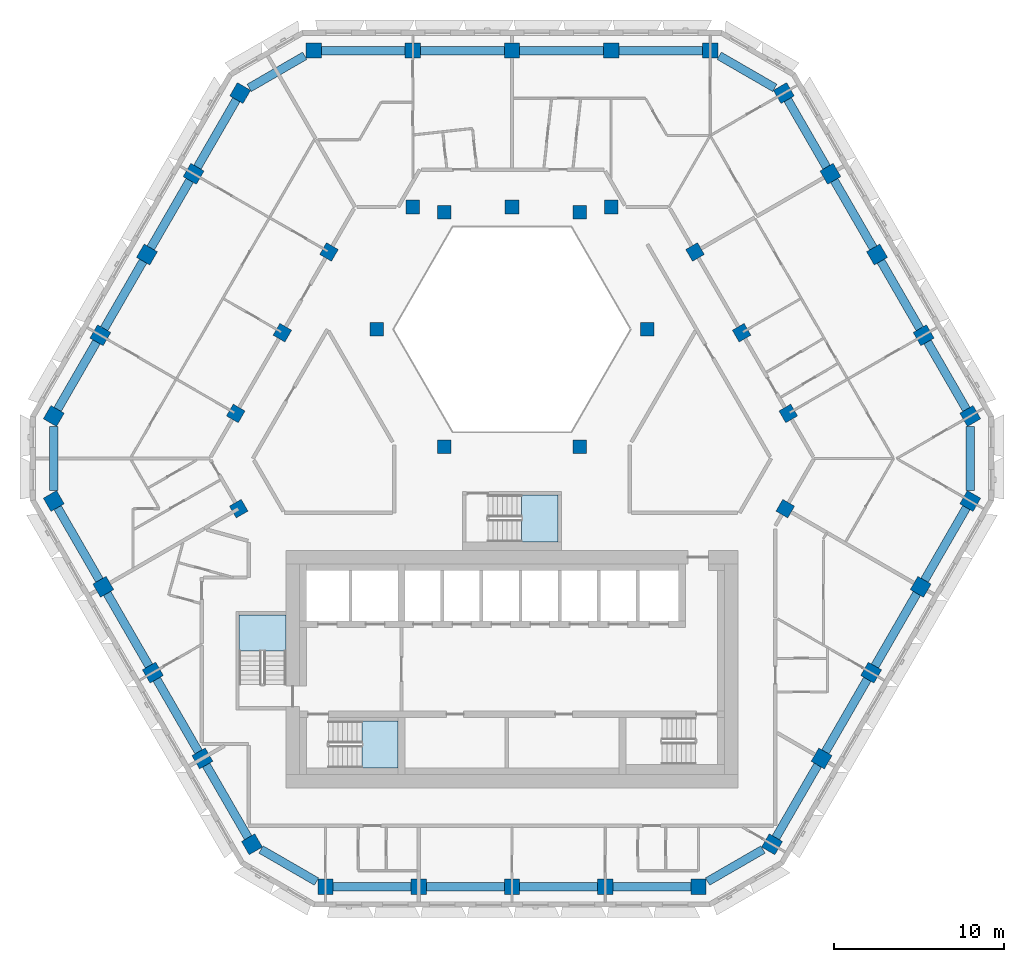
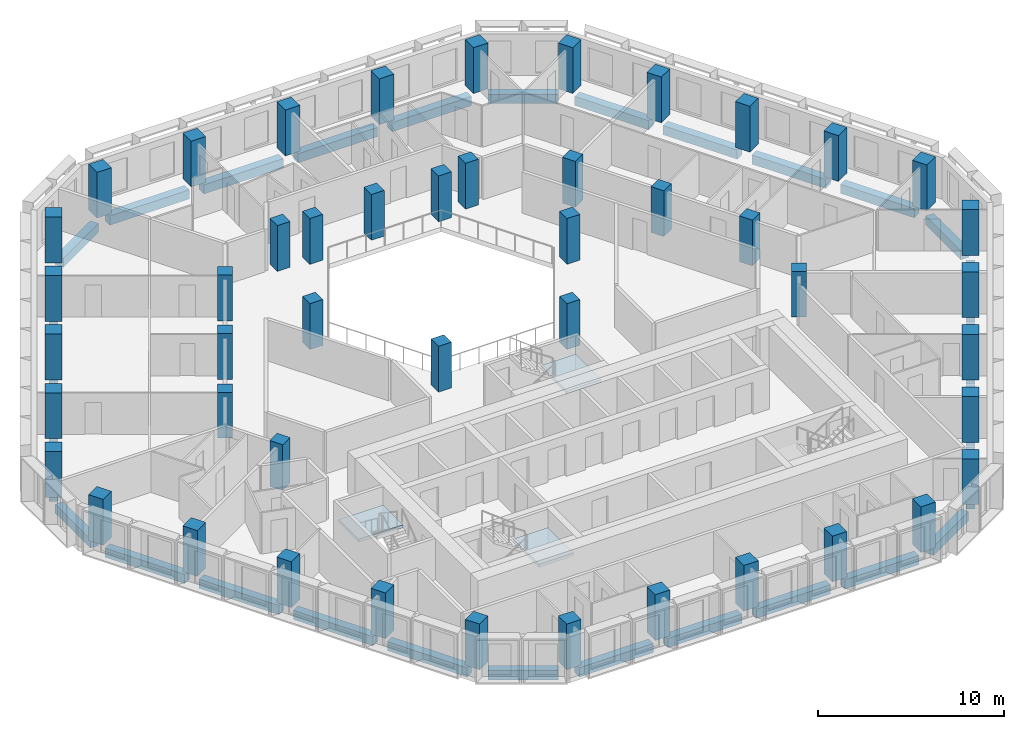
# One storey, part 1 of 17: 47 columns, 30 beams, 3 slabs, 3 elements without a shape of their own.
"""IFC4 building model written with IfcOpenShell, lengths in metres."""

from ifc_helpers import new_model, si_unit, direction, frame, origin, origin_2d, place, context, subcontext, project, spatial, polyline, rectangle, outline, extrude, material, layer, layer_set, material_profile, profile_set, type_object, element, aggregate, save


model = new_model("IFC4")

# Units and contexts
model_context = context("Model", 3, precision=1e-05, world=origin(), true_north=direction((0.0, 1.0)))
body_context = subcontext(model_context, "Body", "Model", "MODEL_VIEW")
ifc_project = project(units=[si_unit("LENGTHUNIT", "METRE"), si_unit("AREAUNIT", "SQUARE_METRE"), si_unit("VOLUMEUNIT", "CUBIC_METRE"), si_unit("PLANEANGLEUNIT", "RADIAN"), si_unit("MASSUNIT", "GRAM", prefix="KILO")], contexts=[model_context])

# Site, building, storey
site_placement = place(None, origin())
site = spatial("IfcSite", under=ifc_project, at=site_placement, CompositionType="ELEMENT")
building_placement = place(site_placement, origin())
building = spatial("IfcBuilding", under=site, at=building_placement, Name="Beryl Residences", CompositionType="ELEMENT")
storey_placement = place(building_placement, frame((0.0, 0.0, 144.60009765625)))
storey = spatial("IfcBuildingStorey", under=building, at=storey_placement, Name="L44", CompositionType="ELEMENT", Elevation=144.60009765625)

# Columns
ifc_material_1 = material(Name="Concrete C60/75", Category="concrete")
ifc_material_profile_1 = material_profile(ifc_material_1, rectangle(XDim=0.89990234375, YDim=0.89990234375, at=origin_2d()))
ifc_profile_set_1 = profile_set([ifc_material_profile_1], Name="Concrete C60/75")
column_type_1 = type_object("IfcColumnType", Name="C3 tube column 900 x 900 C60/75", PredefinedType="COLUMN", material=ifc_profile_set_1)
for number, where, z_axis, x_axis, name in (
    (1, (11.662109375, 24.39990234375, 0.0), (0.0, 0.0, 1.0), (-1.0, 0.0, 0.0), "C3-N1 L44"),
    (2, (5.8310546875, 24.39990234375, 0.0), (0.0, 0.0, 1.0), (-1.0, 0.0, 0.0), "C3-N2 L44"),
    (3, (0.0, 24.39990234375, 0.0), (0.0, 0.0, 1.0), (-1.0, 0.0, 0.0), "C3-N3 L44"),
    (4, (-5.8310546875, 24.39990234375, 0.0), (0.0, 0.0, 1.0), (-1.0, 0.0, 0.0), "C3-N4 L44"),
    (5, (-11.662109375, 24.39990234375, 0.0), (0.0, 0.0, 1.0), (-1.0, 0.0, 0.0), "C3-N5 L44"),
    (6, (-15.992919921875, 21.89990234375, 0.0), (0.0, 0.0, 1.0), (-0.5, -0.866025403784, 0.0), "C3-NW1 L44"),
    (7, (-18.735107421875, 17.14990234375, 0.0), (0.0, 0.0, 1.0), (-0.5, -0.866025403784, 0.0), "C3-NW2 L44"),
    (8, (-21.47802734375, 12.39990234375, 0.0), (0.0, 0.0, 1.0), (-0.5, -0.866025403784, 0.0), "C3-NW3 L44"),
    (9, (-24.219970703125, 7.64990234375, 0.0), (0.0, 0.0, 1.0), (-0.5, -0.866025403784, 0.0), "C3-NW4 L44"),
    (10, (-26.962890625, 2.89990234375, 0.0), (0.0, 0.0, 1.0), (-0.5, -0.866025403784, 0.0), "C3-NW5 L44"),
    (11, (-26.9619140625, -2.10009765625, 0.0), (0.0, 0.0, 1.0), (0.5, -0.866025403784, 0.0), "C3-SW1 L44"),
    (12, (-24.047119140625, -7.14892578125, 0.0), (0.0, 0.0, 1.0), (0.5, -0.866025403784, 0.0), "C3-SW2 L44"),
    (13, (-21.131103515625, -12.198974609375, 0.0), (0.0, 0.0, 1.0), (0.5, -0.866025403784, 0.0), "C3-SW3 L44"),
    (14, (-18.216064453125, -17.2490234375, 0.0), (0.0, 0.0, 1.0), (0.5, -0.866025403784, 0.0), "C3-SW4 L44"),
    (15, (-15.300048828125, -22.299072265625, 0.0), (0.0, 0.0, 1.0), (0.5, -0.866025403784, 0.0), "C3-SW5 L44"),
    (16, (-10.968994140625, -24.800048828125, 0.0), (0.0, 0.0, 1.0), (1.0, 0.0, 0.0), "C3-S1 L44"),
    (17, (-5.48388671875, -24.800048828125, 0.0), (0.0, 0.0, 1.0), (1.0, 0.0, 0.0), "C3-S2 L44"),
    (18, (0.0009765625, -24.800048828125, 0.0), (0.0, 0.0, 1.0), (1.0, 0.0, 0.0), "C3-S3 L44"),
    (19, (5.486083984375, -24.800048828125, 0.0), (0.0, 0.0, 1.0), (1.0, 0.0, 0.0), "C3-S4 L44"),
    (20, (10.970947265625, -24.800048828125, 0.0), (0.0, 0.0, 1.0), (1.0, 0.0, 0.0), "C3-S5 L44"),
    (21, (15.299072265625, -22.300048828125, 0.0), (0.0, 0.0, 1.0), (0.5, 0.866025403784, 0.0), "C3-SE1 L44"),
    (22, (18.215087890625, -17.2509765625, 0.0), (0.0, 0.0, 1.0), (0.5, 0.866025403784, 0.0), "C3-SE2 L44"),
    (23, (21.1298828125, -12.200927734375, 0.0), (0.0, 0.0, 1.0), (0.5, 0.866025403784, 0.0), "C3-SE3 L44"),
    (24, (24.0458984375, -7.15087890625, 0.0), (0.0, 0.0, 1.0), (0.5, 0.866025403784, 0.0), "C3-SE4 L44"),
    (25, (26.9609375, -2.10107421875, 0.0), (0.0, 0.0, 1.0), (0.5, 0.866025403784, 0.0), "C3-SE5 L44"),
    (26, (26.962890625, 2.89990234375, 0.0), (0.0, 0.0, 1.0), (-0.5, 0.866025403784, 0.0), "C3-NE1 L44"),
    (27, (24.219970703125, 7.64990234375, 0.0), (0.0, 0.0, 1.0), (-0.5, 0.866025403784, 0.0), "C3-NE2 L44"),
    (28, (21.47802734375, 12.39990234375, 0.0), (0.0, 0.0, 1.0), (-0.5, 0.866025403784, 0.0), "C3-NE3 L44"),
    (29, (18.735107421875, 17.14990234375, 0.0), (0.0, 0.0, 1.0), (-0.5, 0.866025403784, 0.0), "C3-NE4 L44"),
    (30, (15.992919921875, 21.89990234375, 0.0), (0.0, 0.0, 1.0), (-0.5, 0.866025403784, 0.0), "C3-NE5 L44"),
):
    element("IfcColumn", number, at=place(storey_placement, frame(where, z_axis=z_axis, x_axis=x_axis)), inside=storey, type_object=column_type_1, Name=name, PredefinedType="COLUMN", context=body_context, shape_type="SweptSolid", body=[
        extrude(rectangle(XDim=0.89990234375, YDim=0.89990234375, at=origin_2d()), origin(), (0.0, 0.0, 1.0), 3.0),
    ])
ifc_material_2 = material(Name="Concrete C60/75", Category="concrete")
ifc_material_profile_2 = material_profile(ifc_material_2, rectangle(XDim=0.800048828125, YDim=0.800048828125, at=origin_2d()))
ifc_profile_set_2 = profile_set([ifc_material_profile_2], Name="Concrete C60/75")
column_type_2 = type_object("IfcColumnType", Name="IC3 interior column 800 x 800 C60/75", PredefinedType="COLUMN", material=ifc_profile_set_2)
for number, where, z_axis, x_axis, name in (
    (31, (-16.0791015625, -2.549072265625, 0.0), (0.0, 0.0, 1.0), (0.5, -0.866025403784, 0.0), "IC3-M01 L44"),
    (32, (16.077880859375, -2.551025390625, 0.0), (0.0, 0.0, 1.0), (0.5, 0.866025403784, 0.0), "IC3-M02 L44"),
    (33, (16.2529296875, 3.050048828125, 0.0), (0.0, 0.0, 1.0), (-0.5, 0.866025403784, 0.0), "IC3-M03 L44"),
    (34, (3.98388671875, 1.10009765625, 0.0), (0.0, 0.0, 1.0), (1.0, 0.0, 0.0), "IC3-A04 L44"),
    (35, (13.510009765625, 7.800048828125, 0.0), (0.0, 0.0, 1.0), (-0.5, 0.866025403784, 0.0), "IC3-M05 L44"),
    (36, (7.967041015625, 8.0, 0.0), (0.0, 0.0, 1.0), (1.0, 0.0, 0.0), "IC3-A06 L44"),
    (37, (10.76806640625, 12.550048828125, 0.0), (0.0, 0.0, 1.0), (-0.5, 0.866025403784, 0.0), "IC3-M07 L44"),
    (38, (5.8310546875, 15.199951171875, 0.0), (0.0, 0.0, 1.0), (-1.0, 0.0, 0.0), "IC3-M08 L44"),
    (39, (3.98388671875, 14.89990234375, 0.0), (0.0, 0.0, 1.0), (1.0, 0.0, 0.0), "IC3-A09 L44"),
    (40, (0.0, 15.199951171875, 0.0), (0.0, 0.0, 1.0), (-1.0, 0.0, 0.0), "IC3-M10 L44"),
    (41, (-3.98388671875, 14.89990234375, 0.0), (0.0, 0.0, 1.0), (1.0, 0.0, 0.0), "IC3-A11 L44"),
    (42, (-5.8310546875, 15.199951171875, 0.0), (0.0, 0.0, 1.0), (-1.0, 0.0, 0.0), "IC3-M12 L44"),
    (43, (-10.76806640625, 12.550048828125, 0.0), (0.0, 0.0, 1.0), (-0.5, -0.866025403784, 0.0), "IC3-M13 L44"),
    (44, (-7.967041015625, 8.0, 0.0), (0.0, 0.0, 1.0), (1.0, 0.0, 0.0), "IC3-A14 L44"),
    (45, (-13.510009765625, 7.800048828125, 0.0), (0.0, 0.0, 1.0), (-0.5, -0.866025403784, 0.0), "IC3-M15 L44"),
    (46, (-3.98388671875, 1.10009765625, 0.0), (0.0, 0.0, 1.0), (1.0, 0.0, 0.0), "IC3-A16 L44"),
    (47, (-16.2529296875, 3.050048828125, 0.0), (0.0, 0.0, 1.0), (-0.5, -0.866025403784, 0.0), "IC3-M17 L44"),
):
    element("IfcColumn", number, at=place(storey_placement, frame(where, z_axis=z_axis, x_axis=x_axis)), inside=storey, type_object=column_type_2, Name=name, PredefinedType="COLUMN", context=body_context, shape_type="SweptSolid", body=[
        extrude(rectangle(XDim=0.800048828125, YDim=0.800048828125, at=origin_2d()), origin(), (0.0, 0.0, 1.0), 3.0),
    ])

# Beams
ifc_material_3 = material(Name="Concrete C60/75", Category="concrete")
ifc_material_profile_3 = material_profile(ifc_material_3, rectangle(XDim=0.5, YDim=0.60009765625, at=origin_2d()))
ifc_profile_set_3 = profile_set([ifc_material_profile_3], Name="Concrete C60/75")
beam_type = type_object("IfcBeamType", Name="SB3 spandrel beam 500 x 600 C60/75", PredefinedType="SPANDREL", material=ifc_profile_set_3)
beam_1_placement = place(storey_placement, frame((11.2119140625, 24.39990234375, -0.60009765625), z_axis=(-1.0, 0.0, 0.0), x_axis=(0.0, -1.0, 0.0)))
element("IfcBeam", 48, at=beam_1_placement, inside=storey, type_object=beam_type, Name="SB3 L44 N-0", PredefinedType="SPANDREL", context=body_context, shape_type="SweptSolid", body=[
    extrude(rectangle(XDim=0.5, YDim=0.60009765625, at=origin_2d()), origin(), (0.0, 0.0, 1.0), 4.930908203125),
])
for number, where, z_axis, x_axis, name in (
    (49, (5.381103515625, 24.39990234375, -0.60009765625), (-1.0, 0.0, 0.0), (0.0, -1.0, 0.0), "SB3 L44 N-1"),
    (50, (-0.449951171875, 24.39990234375, -0.60009765625), (-1.0, 0.0, 0.0), (0.0, -1.0, 0.0), "SB3 L44 N-2"),
):
    element("IfcBeam", number, at=place(storey_placement, frame(where, z_axis=z_axis, x_axis=x_axis)), inside=storey, type_object=beam_type, Name=name, PredefinedType="SPANDREL", context=body_context, shape_type="SweptSolid", body=[
        extrude(rectangle(XDim=0.5, YDim=0.60009765625, at=origin_2d()), origin(), (0.0, 0.0, 1.0), 4.93115234375),
    ])
beam_2_placement = place(storey_placement, frame((-6.281005859375, 24.39990234375, -0.60009765625), z_axis=(-1.0, 0.0, 0.0), x_axis=(0.0, -1.0, 0.0)))
element("IfcBeam", 51, at=beam_2_placement, inside=storey, type_object=beam_type, Name="SB3 L44 N-3", PredefinedType="SPANDREL", context=body_context, shape_type="SweptSolid", body=[
    extrude(rectangle(XDim=0.5, YDim=0.60009765625, at=origin_2d()), origin(), (0.0, 0.0, 1.0), 4.930908203125),
])
beam_3_placement = place(storey_placement, frame((-12.194091796875, 24.093017578125, -0.60009765625), z_axis=(-0.866040087317, -0.499974566514, 0.0), x_axis=(0.499974566514, -0.866040087317, 0.0)))
element("IfcBeam", 52, at=beam_3_placement, inside=storey, type_object=beam_type, Name="SB3 L44 N-4", PredefinedType="SPANDREL", context=body_context, shape_type="SweptSolid", body=[
    extrude(rectangle(XDim=0.5, YDim=0.60009765625, at=origin_2d()), origin(), (0.0, 0.0, 1.0), 3.772216796875),
])
beam_4_placement = place(storey_placement, frame((-16.218017578125, 21.510009765625, -0.60009765625), z_axis=(-0.49998830735, -0.866032154434, 0.0), x_axis=(0.866032154434, -0.49998830735, 0.0)))
element("IfcBeam", 53, at=beam_4_placement, inside=storey, type_object=beam_type, Name="SB3 L44 NW-0", PredefinedType="SPANDREL", context=body_context, shape_type="SweptSolid", body=[
    extrude(rectangle(XDim=0.5, YDim=0.60009765625, at=origin_2d()), origin(), (0.0, 0.0, 1.0), 4.583984375),
])
beam_5_placement = place(storey_placement, frame((-18.9599609375, 16.760009765625, -0.60009765625), z_axis=(-0.500148059018, -0.865939904993, 0.0), x_axis=(0.865939904993, -0.500148059018, 0.0)))
element("IfcBeam", 54, at=beam_5_placement, inside=storey, type_object=beam_type, Name="SB3 L44 NW-1", PredefinedType="SPANDREL", context=body_context, shape_type="SweptSolid", body=[
    extrude(rectangle(XDim=0.5, YDim=0.60009765625, at=origin_2d()), origin(), (0.0, 0.0, 1.0), 4.58447265625),
])
beam_6_placement = place(storey_placement, frame((-21.702880859375, 12.010009765625, -0.60009765625), z_axis=(-0.500028250054, -0.866009092994, 0.0), x_axis=(0.866009092994, -0.500028250054, 0.0)))
element("IfcBeam", 55, at=beam_6_placement, inside=storey, type_object=beam_type, Name="SB3 L44 NW-2", PredefinedType="SPANDREL", context=body_context, shape_type="SweptSolid", body=[
    extrude(rectangle(XDim=0.5, YDim=0.60009765625, at=origin_2d()), origin(), (0.0, 0.0, 1.0), 4.584228515625),
])
beam_7_placement = place(storey_placement, frame((-24.445068359375, 7.260009765625, -0.60009765625), z_axis=(-0.500148059018, -0.865939904993, 0.0), x_axis=(0.865939904993, -0.500148059018, 0.0)))
element("IfcBeam", 56, at=beam_7_placement, inside=storey, type_object=beam_type, Name="SB3 L44 NW-3", PredefinedType="SPANDREL", context=body_context, shape_type="SweptSolid", body=[
    extrude(rectangle(XDim=0.5, YDim=0.60009765625, at=origin_2d()), origin(), (0.0, 0.0, 1.0), 4.58447265625),
])
beam_8_placement = place(storey_placement, frame((-26.962890625, 2.285888671875, -0.60009765625), z_axis=(0.000258899668, -0.999999966485, 0.0), x_axis=(0.999999966485, 0.000258899668, 0.0)))
element("IfcBeam", 57, at=beam_8_placement, inside=storey, type_object=beam_type, Name="SB3 L44 NW-4", PredefinedType="SPANDREL", context=body_context, shape_type="SweptSolid", body=[
    extrude(rectangle(XDim=0.5, YDim=0.60009765625, at=origin_2d()), origin(), (0.0, 0.0, 1.0), 3.77197265625),
])
beam_9_placement = place(storey_placement, frame((-26.737060546875, -2.489990234375, -0.60009765625), z_axis=(0.50005397607, -0.865994238443, 0.0), x_axis=(0.865994238443, 0.50005397607, 0.0)))
element("IfcBeam", 58, at=beam_9_placement, inside=storey, type_object=beam_type, Name="SB3 L44 SW-0", PredefinedType="SPANDREL", context=body_context, shape_type="SweptSolid", body=[
    extrude(rectangle(XDim=0.5, YDim=0.60009765625, at=origin_2d()), origin(), (0.0, 0.0, 1.0), 4.9296875),
])
beam_10_placement = place(storey_placement, frame((-23.822021484375, -7.5390625, -0.60009765625), z_axis=(0.500116736097, -0.865957995677, 0.0), x_axis=(0.865957995677, 0.500116736097, 0.0)))
element("IfcBeam", 59, at=beam_10_placement, inside=storey, type_object=beam_type, Name="SB3 L44 SW-1", PredefinedType="SPANDREL", context=body_context, shape_type="SweptSolid", body=[
    extrude(rectangle(XDim=0.5, YDim=0.60009765625, at=origin_2d()), origin(), (0.0, 0.0, 1.0), 4.930908203125),
])
beam_11_placement = place(storey_placement, frame((-20.906005859375, -12.589111328125, -0.60009765625), z_axis=(0.499989643469, -0.866031383048, 0.0), x_axis=(0.866031383048, 0.499989643469, 0.0)))
element("IfcBeam", 60, at=beam_11_placement, inside=storey, type_object=beam_type, Name="SB3 L44 SW-2", PredefinedType="SPANDREL", context=body_context, shape_type="SweptSolid", body=[
    extrude(rectangle(XDim=0.5, YDim=0.60009765625, at=origin_2d()), origin(), (0.0, 0.0, 1.0), 4.93017578125),
])
beam_12_placement = place(storey_placement, frame((-17.990966796875, -17.638916015625, -0.60009765625), z_axis=(0.500116736097, -0.865957995677, 0.0), x_axis=(0.865957995677, 0.500116736097, 0.0)))
element("IfcBeam", 61, at=beam_12_placement, inside=storey, type_object=beam_type, Name="SB3 L44 SW-3", PredefinedType="SPANDREL", context=body_context, shape_type="SweptSolid", body=[
    extrude(rectangle(XDim=0.5, YDim=0.60009765625, at=origin_2d()), origin(), (0.0, 0.0, 1.0), 4.930908203125),
])
beam_13_placement = place(storey_placement, frame((-14.76806640625, -22.60595703125, -0.60009765625), z_axis=(0.865944170592, -0.500140673629, 0.0), x_axis=(0.500140673629, 0.865944170592, 0.0)))
element("IfcBeam", 62, at=beam_13_placement, inside=storey, type_object=beam_type, Name="SB3 L44 SW-4", PredefinedType="SPANDREL", context=body_context, shape_type="SweptSolid", body=[
    extrude(rectangle(XDim=0.5, YDim=0.60009765625, at=origin_2d()), origin(), (0.0, 0.0, 1.0), 3.77294921875),
])
for number, where, z_axis, x_axis, name in (
    (63, (-10.51904296875, -24.800048828125, -0.60009765625), (1.0, 0.0, 0.0), (0.0, 1.0, 0.0), "SB3 L44 S-0"),
    (64, (-5.033935546875, -24.800048828125, -0.60009765625), (1.0, 0.0, 0.0), (0.0, 1.0, 0.0), "SB3 L44 S-1"),
    (65, (0.450927734375, -24.800048828125, -0.60009765625), (1.0, 0.0, 0.0), (0.0, 1.0, 0.0), "SB3 L44 S-2"),
    (66, (5.93603515625, -24.800048828125, -0.60009765625), (1.0, 0.0, 0.0), (0.0, 1.0, 0.0), "SB3 L44 S-3"),
):
    element("IfcBeam", number, at=place(storey_placement, frame(where, z_axis=z_axis, x_axis=x_axis)), inside=storey, type_object=beam_type, Name=name, PredefinedType="SPANDREL", context=body_context, shape_type="SweptSolid", body=[
        extrude(rectangle(XDim=0.5, YDim=0.60009765625, at=origin_2d()), origin(), (0.0, 0.0, 1.0), 4.5849609375),
    ])
beam_14_placement = place(storey_placement, frame((11.5029296875, -24.492919921875, -0.60009765625), z_axis=(0.865861956233, 0.500282992663, 0.0), x_axis=(-0.500282992663, 0.865861956233, 0.0)))
element("IfcBeam", 67, at=beam_14_placement, inside=storey, type_object=beam_type, Name="SB3 L44 S-4", PredefinedType="SPANDREL", context=body_context, shape_type="SweptSolid", body=[
    extrude(rectangle(XDim=0.5, YDim=0.60009765625, at=origin_2d()), origin(), (0.0, 0.0, 1.0), 3.769775390625),
])
beam_15_placement = place(storey_placement, frame((15.52392578125, -21.909912109375, -0.60009765625), z_axis=(0.500223967704, 0.86589605735, 0.0), x_axis=(-0.86589605735, 0.500223967704, 0.0)))
element("IfcBeam", 68, at=beam_15_placement, inside=storey, type_object=beam_type, Name="SB3 L44 SE-0", PredefinedType="SPANDREL", context=body_context, shape_type="SweptSolid", body=[
    extrude(rectangle(XDim=0.5, YDim=0.60009765625, at=origin_2d()), origin(), (0.0, 0.0, 1.0), 4.929931640625),
])
beam_16_placement = place(storey_placement, frame((18.43994140625, -16.861083984375, -0.60009765625), z_axis=(0.499968202334, 0.866043761397, 0.0), x_axis=(-0.866043761397, 0.499968202334, 0.0)))
element("IfcBeam", 69, at=beam_16_placement, inside=storey, type_object=beam_type, Name="SB3 L44 SE-1", PredefinedType="SPANDREL", context=body_context, shape_type="SweptSolid", body=[
    extrude(rectangle(XDim=0.5, YDim=0.60009765625, at=origin_2d()), origin(), (0.0, 0.0, 1.0), 4.930419921875),
])
beam_17_placement = place(storey_placement, frame((21.35498046875, -11.81103515625, -0.60009765625), z_axis=(0.500116736097, 0.865957995677, 0.0), x_axis=(-0.865957995677, 0.500116736097, 0.0)))
element("IfcBeam", 70, at=beam_17_placement, inside=storey, type_object=beam_type, Name="SB3 L44 SE-2", PredefinedType="SPANDREL", context=body_context, shape_type="SweptSolid", body=[
    extrude(rectangle(XDim=0.5, YDim=0.60009765625, at=origin_2d()), origin(), (0.0, 0.0, 1.0), 4.930908203125),
])
beam_18_placement = place(storey_placement, frame((24.27099609375, -6.760986328125, -0.60009765625), z_axis=(0.499968202334, 0.866043761397, 0.0), x_axis=(-0.866043761397, 0.499968202334, 0.0)))
element("IfcBeam", 71, at=beam_18_placement, inside=storey, type_object=beam_type, Name="SB3 L44 SE-3", PredefinedType="SPANDREL", context=body_context, shape_type="SweptSolid", body=[
    extrude(rectangle(XDim=0.5, YDim=0.60009765625, at=origin_2d()), origin(), (0.0, 0.0, 1.0), 4.930419921875),
])
beam_19_placement = place(storey_placement, frame((26.9609375, -1.487060546875, -0.60009765625), z_axis=(0.00051766526, 0.999999866011, 0.0), x_axis=(-0.999999866011, 0.00051766526, 0.0)))
element("IfcBeam", 72, at=beam_19_placement, inside=storey, type_object=beam_type, Name="SB3 L44 SE-4", PredefinedType="SPANDREL", context=body_context, shape_type="SweptSolid", body=[
    extrude(rectangle(XDim=0.5, YDim=0.60009765625, at=origin_2d()), origin(), (0.0, 0.0, 1.0), 3.77294921875),
])
beam_20_placement = place(storey_placement, frame((26.738037109375, 3.2900390625, -0.60009765625), z_axis=(-0.500148059018, 0.865939904993, 0.0), x_axis=(-0.865939904993, -0.500148059018, 0.0)))
element("IfcBeam", 73, at=beam_20_placement, inside=storey, type_object=beam_type, Name="SB3 L44 NE-0", PredefinedType="SPANDREL", context=body_context, shape_type="SweptSolid", body=[
    extrude(rectangle(XDim=0.5, YDim=0.60009765625, at=origin_2d()), origin(), (0.0, 0.0, 1.0), 4.58447265625),
])
beam_21_placement = place(storey_placement, frame((23.9951171875, 8.0400390625, -0.60009765625), z_axis=(-0.500028250054, 0.866009092994, 0.0), x_axis=(-0.866009092994, -0.500028250054, 0.0)))
element("IfcBeam", 74, at=beam_21_placement, inside=storey, type_object=beam_type, Name="SB3 L44 NE-1", PredefinedType="SPANDREL", context=body_context, shape_type="SweptSolid", body=[
    extrude(rectangle(XDim=0.5, YDim=0.60009765625, at=origin_2d()), origin(), (0.0, 0.0, 1.0), 4.584228515625),
])
beam_22_placement = place(storey_placement, frame((21.2529296875, 12.7900390625, -0.60009765625), z_axis=(-0.500148059018, 0.865939904993, 0.0), x_axis=(-0.865939904993, -0.500148059018, 0.0)))
element("IfcBeam", 75, at=beam_22_placement, inside=storey, type_object=beam_type, Name="SB3 L44 NE-2", PredefinedType="SPANDREL", context=body_context, shape_type="SweptSolid", body=[
    extrude(rectangle(XDim=0.5, YDim=0.60009765625, at=origin_2d()), origin(), (0.0, 0.0, 1.0), 4.58447265625),
])
beam_23_placement = place(storey_placement, frame((18.510009765625, 17.5400390625, -0.60009765625), z_axis=(-0.49998830735, 0.866032154434, 0.0), x_axis=(-0.866032154434, -0.49998830735, 0.0)))
element("IfcBeam", 76, at=beam_23_placement, inside=storey, type_object=beam_type, Name="SB3 L44 NE-3", PredefinedType="SPANDREL", context=body_context, shape_type="SweptSolid", body=[
    extrude(rectangle(XDim=0.5, YDim=0.60009765625, at=origin_2d()), origin(), (0.0, 0.0, 1.0), 4.583984375),
])
beam_24_placement = place(storey_placement, frame((15.4609375, 22.20703125, -0.60009765625), z_axis=(-0.866040087317, 0.499974566514, 0.0), x_axis=(-0.499974566514, -0.866040087317, 0.0)))
element("IfcBeam", 77, at=beam_24_placement, inside=storey, type_object=beam_type, Name="SB3 L44 NE-4", PredefinedType="SPANDREL", context=body_context, shape_type="SweptSolid", body=[
    extrude(rectangle(XDim=0.5, YDim=0.60009765625, at=origin_2d()), origin(), (0.0, 0.0, 1.0), 3.772216796875),
])

# Stair, slab
ifc_material_4 = material(Name="Concrete C40/50", Category="concrete")
stair_type = type_object("IfcStairType", Name="ST1 protected exit stair, half-turn, 1300 mm flights", PredefinedType="HALF_TURN_STAIR", material=ifc_material_4)
stair_1_placement = place(storey_placement, origin())
stair_1 = element("IfcStair", 78, at=stair_1_placement, inside=storey, type_object=stair_type, Name="L44 PROTECTED EXIT STAIR ST-1", PredefinedType="HALF_TURN_STAIR")
ifc_material_5 = material(Name="Concrete C40/50", Category="concrete")
ifc_layer = layer(ifc_material_5, 0.199951171875)
ifc_layer_set = layer_set([ifc_layer], Name="SLD1 stair landing 200 mm")
slab_type = type_object("IfcSlabType", Name="SLD1 stair landing 200 mm", PredefinedType="LANDING", material=ifc_layer_set)
slab_1_placement = place(storey_placement, frame((0.0, 0.0, 1.2998046875)))
slab_1 = element("IfcSlab", 79, at=slab_1_placement, type_object=slab_type, Name="ST-1 landing 1", PredefinedType="LANDING", context=body_context, shape_type="SweptSolid", body=[
    extrude(outline(polyline([(-8.840087890625, -17.800048828125), (-6.699951171875, -17.800048828125), (-6.699951171875, -15.050048828125), (-8.840087890625, -15.050048828125), (-8.840087890625, -17.800048828125)])), origin(), (0.0, 0.0, 1.0), 0.2001953125),
])
aggregate(stair_1, [slab_1])

stair_2_placement = place(storey_placement, origin())
stair_2 = element("IfcStair", 80, at=stair_2_placement, inside=storey, type_object=stair_type, Name="L44 PROTECTED EXIT STAIR ST-2", PredefinedType="HALF_TURN_STAIR")
slab_2_placement = place(storey_placement, frame((0.0, 0.0, 1.2998046875)))
slab_2 = element("IfcSlab", 81, at=slab_2_placement, type_object=slab_type, Name="ST-2 landing 1", PredefinedType="LANDING", context=body_context, shape_type="SweptSolid", body=[
    extrude(outline(polyline([(-13.300048828125, -10.93994140625), (-13.300048828125, -8.800048828125), (-16.050048828125, -8.800048828125), (-16.050048828125, -10.93994140625), (-13.300048828125, -10.93994140625)])), origin(), (0.0, 0.0, 1.0), 0.2001953125),
])
aggregate(stair_2, [slab_2])

stair_3_placement = place(storey_placement, origin())
stair_3 = element("IfcStair", 82, at=stair_3_placement, inside=storey, type_object=stair_type, Name="L44 PROTECTED EXIT STAIR ST-4", PredefinedType="HALF_TURN_STAIR")
slab_3_placement = place(storey_placement, frame((0.0, 0.0, 1.2998046875)))
slab_3 = element("IfcSlab", 83, at=slab_3_placement, type_object=slab_type, Name="ST-4 landing 1", PredefinedType="LANDING", context=body_context, shape_type="SweptSolid", body=[
    extrude(outline(polyline([(0.56005859375, -4.5), (2.699951171875, -4.5), (2.699951171875, -1.75), (0.56005859375, -1.75), (0.56005859375, -4.5)])), origin(), (0.0, 0.0, 1.0), 0.2001953125),
])
aggregate(stair_3, [slab_3])

save(model, "model.ifc")
